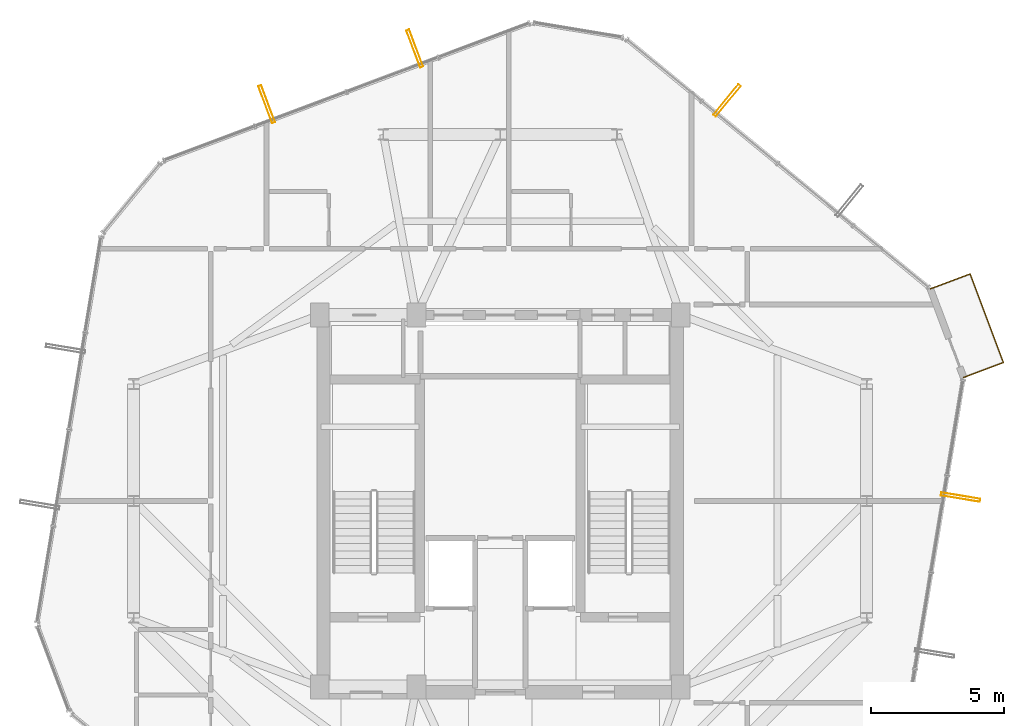
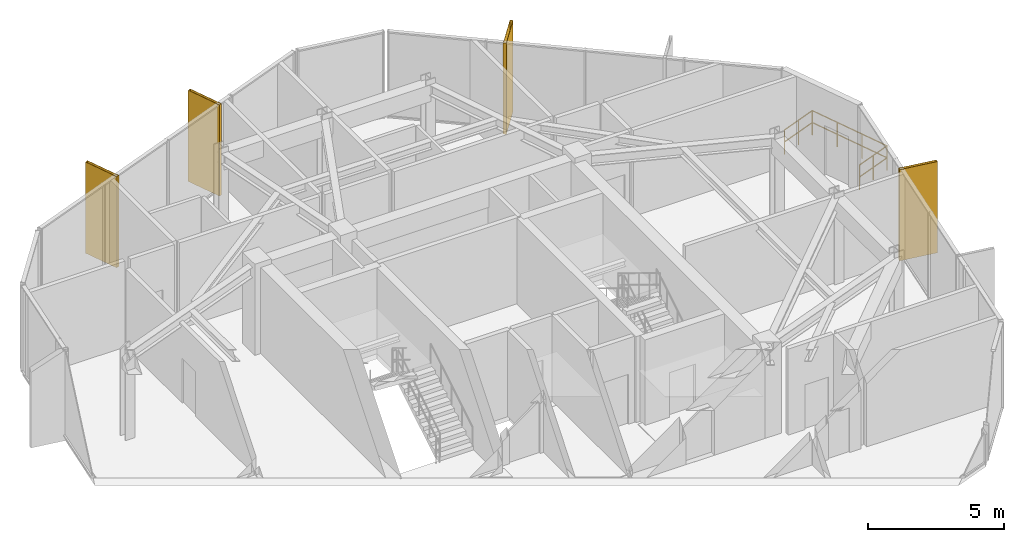
# One storey, part 22 of 22: 4 shading devices, 1 railing.
"""IFC4 building model written with IfcOpenShell, lengths in metres."""

import ifcopenshell
import ifcopenshell.guid

model = None  # the IFC model being written
_history = None  # IfcOwnerHistory: only IFC2X3 demands one
_inside = {}  # id of a spatial element -> (the spatial element, [elements in it])
_under = {}  # id of a project, library or spatial element -> (it, [spatial elements below it])
_declared = {}  # id of a project -> (the project, [libraries it declares])
_typed = {}  # id of a type object -> (the type object, [elements of that type])
_made_of = {}  # id of a material, layer set ... -> (it, [elements and type objects made of it])


def new_model(schema):
    """Start an empty IFC model of exactly this schema.

    Asked for "IFC4X3", IfcOpenShell would pick the latest addendum, in which some entities
    have other attributes; the version numbers below select the first issue.
    IFC2X3 requires an IfcOwnerHistory on every rooted entity: one is made here for all.
    """
    global model, _history
    if schema == "IFC4X3":
        model = ifcopenshell.file(schema_version=(4, 3, 0, 0))
    else:
        model = ifcopenshell.file(schema=schema)
    _inside.clear()
    _under.clear()
    _declared.clear()
    _typed.clear()
    _made_of.clear()
    _history = None
    if model.schema == "IFC2X3":
        org = make("IfcOrganization", Name="unknown")
        user = make(
            "IfcPersonAndOrganization",
            ThePerson=make("IfcPerson", FamilyName="unknown"),
            TheOrganization=org,
        )
        app = make(
            "IfcApplication",
            ApplicationDeveloper=org,
            Version="unknown",
            ApplicationFullName="unknown",
            ApplicationIdentifier="unknown",
        )
        _history = make(
            "IfcOwnerHistory",
            OwningUser=user,
            OwningApplication=app,
            ChangeAction="ADDED",
            CreationDate=0,
        )
    return model


def make(cls, **values):
    """One entity of the class cls with the attributes given. An attribute that is None is left unset."""
    return model.create_entity(
        cls, **{name: value for name, value in values.items() if value is not None}
    )


def rooted(cls, **values):
    """An entity with a GlobalId (a new one), such as an element, a storey or a relation."""
    return make(cls, GlobalId=ifcopenshell.guid.new(), OwnerHistory=_history, **values)


def si_unit(unit_type, name, prefix=None):
    """IfcSIUnit, for example si_unit("LENGTHUNIT", "METRE", prefix="MILLI")."""
    return make("IfcSIUnit", UnitType=unit_type, Prefix=prefix, Name=name)


def assignment(units):
    """IfcUnitAssignment: the units of a project."""
    return None if units is None else make("IfcUnitAssignment", Units=units)


def point(xyz):
    """IfcCartesianPoint."""
    return None if xyz is None else make("IfcCartesianPoint", Coordinates=xyz)


def direction(xyz):
    """IfcDirection."""
    return None if xyz is None else make("IfcDirection", DirectionRatios=xyz)


def frame(location, z_axis=None, x_axis=None):
    """IfcAxis2Placement3D, a coordinate frame: its origin and axes. An axis left out is left unset."""
    return make(
        "IfcAxis2Placement3D",
        Location=point(location),
        Axis=direction(z_axis),
        RefDirection=direction(x_axis),
    )


def frame_2d(location, x_axis=None):
    """IfcAxis2Placement2D, a coordinate frame in the plane: its origin and x axis."""
    return make(
        "IfcAxis2Placement2D", Location=point(location), RefDirection=direction(x_axis)
    )


def origin():
    """The frame at (0, 0, 0) with its axes left unset."""
    return frame((0.0, 0.0, 0.0))


def origin_2d():
    """The frame at (0, 0) in the plane with its x axis left unset."""
    return frame_2d((0.0, 0.0))


def place(relative_to, where):
    """IfcLocalPlacement: puts the frame where relative to a parent placement (None: the world)."""
    return make(
        "IfcLocalPlacement", PlacementRelTo=relative_to, RelativePlacement=where
    )


def context(
    kind, dimensions, precision=None, world=None, true_north=None, identifier=None
):
    """IfcGeometricRepresentationContext, for example the 3D "Model" context."""
    return make(
        "IfcGeometricRepresentationContext",
        ContextIdentifier=identifier,
        ContextType=kind,
        CoordinateSpaceDimension=dimensions,
        Precision=precision,
        WorldCoordinateSystem=world,
        TrueNorth=true_north,
    )


def subcontext(parent, identifier, kind, view, scale=None):
    """IfcGeometricRepresentationSubContext, for example "Body" below "Model"."""
    return make(
        "IfcGeometricRepresentationSubContext",
        ContextIdentifier=identifier,
        ContextType=kind,
        ParentContext=parent,
        TargetScale=scale,
        TargetView=view,
    )


def project(units=None, contexts=None):
    """IfcProject with its units and contexts."""
    return rooted(
        "IfcProject",
        Name="project",
        RepresentationContexts=contexts,
        UnitsInContext=assignment(units),
    )


def spatial(cls, under=None, at=None, **own):
    """A site, building, storey or space (cls), placed at a placement, below another one or the project."""
    s = rooted(cls, ObjectPlacement=at, **own)
    if under is not None:
        _under.setdefault(under.id(), (under, []))[1].append(s)
    return s


def profile(cls, at=None, kind="AREA", **sizes):
    """A parametric profile (cls). Its sizes go by their IFC names, for example OverallWidth=200.0."""
    return make(cls, ProfileType=kind, Position=at, **sizes)


def hollow_rectangle(**sizes):
    """IfcRectangleHollowProfileDef."""
    return profile("IfcRectangleHollowProfileDef", **sizes)


def circle(**sizes):
    """IfcCircleProfileDef."""
    return profile("IfcCircleProfileDef", **sizes)


def extrude(swept, where, along, depth):
    """IfcExtrudedAreaSolid: the profile swept, set in the frame where, extruded along a direction by depth."""
    return make(
        "IfcExtrudedAreaSolid",
        SweptArea=swept,
        Position=where,
        ExtrudedDirection=direction(along),
        Depth=depth,
    )


def shape(context_of_items, identifier, shape_type, items):
    """IfcShapeRepresentation: the items that make up one representation, for example the "Body"."""
    return make(
        "IfcShapeRepresentation",
        ContextOfItems=context_of_items,
        RepresentationIdentifier=identifier,
        RepresentationType=shape_type,
        Items=items,
    )


def material(Name=None, Category=None):
    """IfcMaterial."""
    return make("IfcMaterial", Name=Name, Category=Category)


def material_profile(
    of_material, cross_section, Name=None, Category=None, Priority=None
):
    """IfcMaterialProfile: a cross section and its material."""
    return make(
        "IfcMaterialProfile",
        Name=Name,
        Material=of_material,
        Profile=cross_section,
        Priority=Priority,
        Category=Category,
    )


def profile_set(profiles, Name=None, composite=None):
    """IfcMaterialProfileSet."""
    return make(
        "IfcMaterialProfileSet",
        Name=Name,
        MaterialProfiles=profiles,
        CompositeProfile=composite,
    )


def made_of(thing, what):
    """Note that an element or type object is made of a material, layer set ...; save() writes the relation."""
    if what is not None:
        _made_of.setdefault(what.id(), (what, []))[1].append(thing)
    return thing


def type_object(cls, material=None, **own):
    """A type object (cls), such as IfcWallType, which elements share."""
    return made_of(rooted(cls, **own), material)


def element(
    cls,
    number,
    at=None,
    inside=None,
    cuts=None,
    type_object=None,
    material=None,
    context=None,
    identifier="Body",
    shape_type=None,
    held_by="IfcProductDefinitionShape",
    body=None,
    shapes=None,
    **own,
):
    """One element of the class cls, such as IfcWall. Its Tag is "e" and its number.

    at: its placement. inside: the storey or other place that contains it. cuts: it is an
    opening in that element (IfcRelVoidsElement). A single representation is given by context,
    identifier, shape_type and body (its items); several are given by shapes. held_by: the class
    of the entity that holds the representations. save() writes the other relations.
    """
    e = rooted(cls, Tag="e%d" % number, ObjectPlacement=at, **own)
    if body is not None:
        shapes = [shape(context, identifier, shape_type, body)]
    if shapes is not None:
        e.Representation = make(held_by, Representations=shapes)
    if inside is not None:
        _inside.setdefault(inside.id(), (inside, []))[1].append(e)
    if cuts is not None:
        rooted(
            "IfcRelVoidsElement", RelatingBuildingElement=cuts, RelatedOpeningElement=e
        )
    if type_object is not None:
        _typed.setdefault(type_object.id(), (type_object, []))[1].append(e)
    return made_of(e, material)


def aggregate(whole, parts):
    """IfcRelAggregates: a whole, such as a stair, and the parts it consists of."""
    return rooted("IfcRelAggregates", RelatingObject=whole, RelatedObjects=parts)


def save(model, path):
    """Write the relations noted so far, then the file.

    IfcRelAggregates (storeys below a building ...), IfcRelContainedInSpatialStructure (elements
    in a storey), IfcRelDefinesByType, IfcRelAssociatesMaterial and IfcRelDeclares: one each for
    every whole, place, type object, material and project.
    """
    for whole, parts in _under.values():
        aggregate(whole, parts)
    for where, things in _inside.values():
        rooted(
            "IfcRelContainedInSpatialStructure",
            RelatedElements=things,
            RelatingStructure=where,
        )
    for kind, things in _typed.values():
        rooted("IfcRelDefinesByType", RelatedObjects=things, RelatingType=kind)
    for what, things in _made_of.values():
        rooted("IfcRelAssociatesMaterial", RelatedObjects=things, RelatingMaterial=what)
    for by, libraries in _declared.values():
        rooted("IfcRelDeclares", RelatingContext=by, RelatedDefinitions=libraries)
    model.write(path)


model = new_model("IFC4")

# Units and contexts
model_context = context("Model", 3, precision=1e-05, world=origin(), true_north=direction((0.0, 1.0)))
body_context = subcontext(model_context, "Body", "Model", "MODEL_VIEW")
ifc_project = project(units=[si_unit("LENGTHUNIT", "METRE"), si_unit("AREAUNIT", "SQUARE_METRE"), si_unit("VOLUMEUNIT", "CUBIC_METRE"), si_unit("PLANEANGLEUNIT", "RADIAN"), si_unit("MASSUNIT", "GRAM", prefix="KILO")], contexts=[model_context])

# Site, building, storey
site_placement = place(None, origin())
site = spatial("IfcSite", under=ifc_project, at=site_placement, CompositionType="ELEMENT")
building_placement = place(site_placement, origin())
building = spatial("IfcBuilding", under=site, at=building_placement, Name="Veraguas Prism Commons", CompositionType="ELEMENT")
storey_placement = place(building_placement, frame((0.0, 0.0, 240.64990234375)))
storey = spatial("IfcBuildingStorey", under=building, at=storey_placement, Name="L68", CompositionType="ELEMENT", Elevation=240.64990234375)

# Shading devices
ifc_material_1 = material(Name="Anodised aluminium EN AW-6063 T6", Category="aluminium")
ifc_material_profile = material_profile(ifc_material_1, hollow_rectangle(XDim=0.1201171875, YDim=1.489990234375, WallThickness=0.006103515625, at=origin_2d()), Name="FIN120X1490X6")
ifc_profile_set = profile_set([ifc_material_profile], Name="Anodised aluminium EN AW-6063 T6")
shading_device_type = type_object("IfcShadingDeviceType", Name="Deep Pale-Metal Vertical Solar Fin 120x1490", PredefinedType="USERDEFINED", material=ifc_profile_set)
for number, where, z_axis, x_axis, name in (
    (1, (32.54541015625, 39.084716796875, -0.21484375), (0.0, 0.0, 1.0), (-0.772516396797, 0.634994816262, 0.0), "Vertical Pale-Metal Solar Fin L68-F1B"),
    (2, (20.78369140625, 41.0361328125, -0.21484375), (0.0, 0.0, 1.0), (-0.936182294613, -0.351514880558, 0.0), "Vertical Pale-Metal Solar Fin L68-F2A"),
    (3, (15.208984375, 38.943115234375, -0.21484375), (0.0, 0.0, 1.0), (-0.936182294613, -0.351514880558, 0.0), "Vertical Pale-Metal Solar Fin L68-F2B"),
    (4, (41.33642578125, 24.1416015625, -0.21484375), (0.0, 0.0, 1.0), (0.163666887347, 0.986515661298, 0.0), "Vertical Pale-Metal Solar Fin L68-F6B"),
):
    element("IfcShadingDevice", number, at=place(storey_placement, frame(where, z_axis=z_axis, x_axis=x_axis)), inside=storey, type_object=shading_device_type, Name=name, ObjectType="FIN", PredefinedType="USERDEFINED", context=body_context, shape_type="SweptSolid", body=[
        extrude(hollow_rectangle(XDim=0.1201171875, YDim=1.489990234375, WallThickness=0.006103515625, at=origin_2d()), origin(), (0.0, 0.0, 1.0), 4.099853515625),
    ])

# Railing
ifc_material_2 = material(Name="Stainless steel AISI 316", Category="steel")
railing_type = type_object("IfcRailingType", Name="Loggia and Sky Pool Glazed Balustrade 1120", PredefinedType="BALUSTRADE", material=ifc_material_2)
railing_placement = place(storey_placement, frame((41.45068359375, 28.649658203125, 0.0)))
element("IfcRailing", 5, at=railing_placement, inside=storey, type_object=railing_type, Name="Recessed Corner Loggia L68-C1 Guard", PredefinedType="BALUSTRADE", context=body_context, shape_type="SweptSolid", body=[
    extrude(circle(Radius=0.02392578125, at=origin_2d()), frame((0.0, 0.0, 1.09619140625), z_axis=(0.936178610118, 0.351524693239, 0.0), x_axis=(-0.351524693239, 0.936178610118, 0.0)), (0.0, 0.0, 1.0), 1.60009765625),
    extrude(circle(Radius=0.02392578125, at=origin_2d()), frame((0.0, 0.0, 0.56005859375), z_axis=(0.936178610118, 0.351524693239, 0.0), x_axis=(-0.351524693239, 0.936178610118, 0.0)), (0.0, 0.0, 1.0), 1.60009765625),
    extrude(circle(Radius=0.02392578125, at=origin_2d()), frame((1.498046875, 0.5625, 1.09619140625), z_axis=(-0.351491412274, 0.936191106077, 0.0), x_axis=(-0.936191106077, -0.351491412274, 0.0)), (0.0, 0.0, 1.0), 3.5625),
    extrude(circle(Radius=0.02392578125, at=origin_2d()), frame((1.498046875, 0.5625, 0.56005859375), z_axis=(-0.351491412274, 0.936191106077, 0.0), x_axis=(-0.936191106077, -0.351491412274, 0.0)), (0.0, 0.0, 1.0), 3.5625),
    extrude(circle(Radius=0.02392578125, at=origin_2d()), frame((0.245849609375, 3.897705078125, 1.09619140625), z_axis=(-0.936178610118, -0.351524693239, 0.0), x_axis=(0.351524693239, -0.936178610118, 0.0)), (0.0, 0.0, 1.0), 1.60009765625),
    extrude(circle(Radius=0.02392578125, at=origin_2d()), frame((0.245849609375, 3.897705078125, 0.56005859375), z_axis=(-0.936178610118, -0.351524693239, 0.0), x_axis=(0.351524693239, -0.936178610118, 0.0)), (0.0, 0.0, 1.0), 1.60009765625),
    extrude(circle(Radius=0.02099609375, at=origin_2d()), origin(), (0.0, 0.0, 1.0), 1.072021484375),
    extrude(circle(Radius=0.02099609375, at=origin_2d()), frame((0.7490234375, 0.28125, 0.0)), (0.0, 0.0, 1.0), 1.072021484375),
    extrude(circle(Radius=0.02099609375, at=origin_2d()), frame((1.498046875, 0.5625, 0.0)), (0.0, 0.0, 1.0), 1.072021484375),
    extrude(circle(Radius=0.02099609375, at=origin_2d()), frame((1.08056640625, 1.67431640625, 0.0)), (0.0, 0.0, 1.0), 1.072021484375),
    extrude(circle(Radius=0.02099609375, at=origin_2d()), frame((0.663330078125, 2.785888671875, 0.0)), (0.0, 0.0, 1.0), 1.072021484375),
    extrude(circle(Radius=0.02099609375, at=origin_2d()), frame((0.245849609375, 3.897705078125, 0.0)), (0.0, 0.0, 1.0), 1.072021484375),
    extrude(circle(Radius=0.02099609375, at=origin_2d()), frame((-0.503173828125, 3.616455078125, 0.0)), (0.0, 0.0, 1.0), 1.072021484375),
    extrude(circle(Radius=0.02099609375, at=origin_2d()), frame((-1.252197265625, 3.335205078125, 0.0)), (0.0, 0.0, 1.0), 1.072021484375),
])

save(model, "model.ifc")
